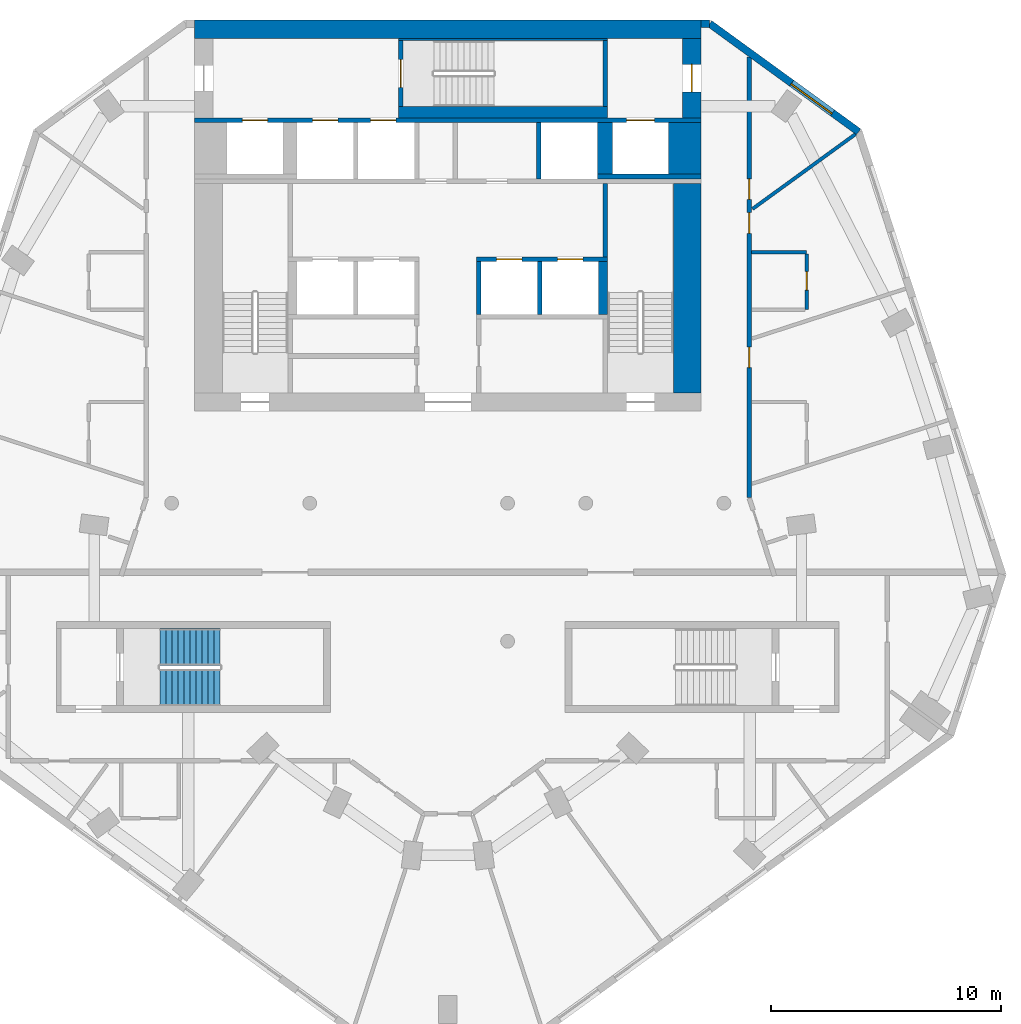
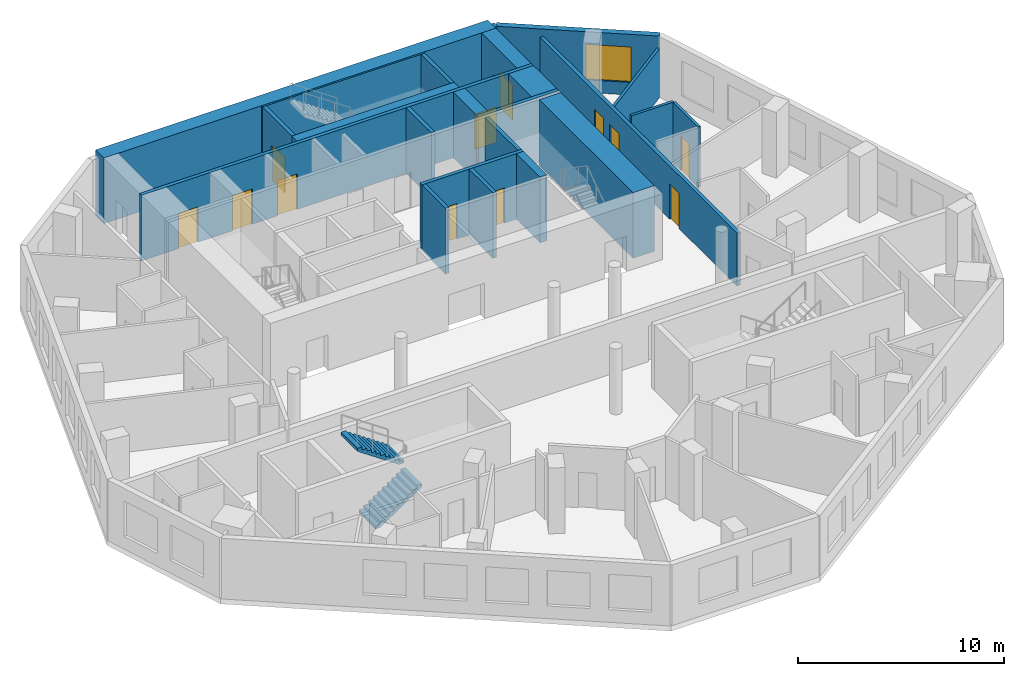
# One storey, part 6 of 9: 23 walls, 12 doors, 2 stair flights, 1 window, 13 openings, 1 element without a shape of its own.
"""IFC4 building model written with IfcOpenShell, lengths in metres."""

from ifc_helpers import new_model, si_unit, direction, frame, frame_2d, origin, place, context, subcontext, project, spatial, polyline, rectangle, outline, extrude, material, layer, layer_set, type_object, element, fill, aggregate, save


model = new_model("IFC4")

# Units and contexts
model_context = context("Model", 3, precision=1e-05, world=origin(), true_north=direction((0.0, 1.0)))
body_context = subcontext(model_context, "Body", "Model", "MODEL_VIEW")
ifc_project = project(units=[si_unit("LENGTHUNIT", "METRE"), si_unit("AREAUNIT", "SQUARE_METRE"), si_unit("VOLUMEUNIT", "CUBIC_METRE"), si_unit("PLANEANGLEUNIT", "RADIAN"), si_unit("MASSUNIT", "GRAM", prefix="KILO")], contexts=[model_context])

# Site, building, storey
site_placement = place(None, origin())
site = spatial("IfcSite", under=ifc_project, at=site_placement, CompositionType="ELEMENT")
building_placement = place(site_placement, origin())
building = spatial("IfcBuilding", under=site, at=building_placement, Name="White Candle Pilgrim Tower", CompositionType="ELEMENT")
storey_placement = place(building_placement, frame((0.0, 0.0, 235.5)))
storey = spatial("IfcBuildingStorey", under=building, at=storey_placement, Name="L55", CompositionType="ELEMENT", Elevation=235.5)

# Walls
ifc_material_1 = material(Name="Concrete C50/60", Category="concrete")
ifc_layer_1 = layer(ifc_material_1, 1.39990234375)
ifc_layer_set_1 = layer_set([ifc_layer_1], Name="Core wall 1400 mm Concrete C50/60")
wall_type_1 = type_object("IfcWallType", Name="Core wall 1400 mm Concrete C50/60", PredefinedType="SHEAR", material=ifc_layer_set_1)
wall_1_placement = place(storey_placement, frame((80.300048828125, 81.300048828125, 0.0), z_axis=(0.0, 0.0, 1.0), x_axis=(0.0, 1.0, 0.0)))
element("IfcWall", 1, at=wall_1_placement, inside=storey, type_object=wall_type_1, Name="WL-L55-C43", PredefinedType="SHEAR", context=body_context, shape_type="SweptSolid", body=[
    extrude(rectangle(XDim=2.25, YDim=1.39990234375, at=frame_2d((1.125, 0.0))), origin(), (0.0, 0.0, 1.0), 3.89990234375),
])
ifc_layer_2 = layer(ifc_material_1, 0.199951171875)
ifc_layer_set_2 = layer_set([ifc_layer_2], Name="Core wall 200 mm Concrete C50/60")
wall_type_2 = type_object("IfcWallType", Name="Core wall 200 mm Concrete C50/60", PredefinedType="SHEAR", material=ifc_layer_set_2)
wall_2_placement = place(storey_placement, frame((76.5, 81.199951171875, 0.0), z_axis=(0.0, 0.0, 1.0), x_axis=(1.0, 0.0, 0.0)))
element("IfcWall", 2, at=wall_2_placement, inside=storey, type_object=wall_type_2, Name="WL-L55-C39", PredefinedType="SHEAR", context=body_context, shape_type="SweptSolid", body=[
    extrude(rectangle(XDim=4.5, YDim=0.199951171875, at=frame_2d((2.25, 0.0))), origin(), (0.0, 0.0, 1.0), 3.89990234375),
])

# Wall, openings, doors
wall_3_placement = place(storey_placement, frame((59.0, 83.64990234375, 0.0), z_axis=(0.0, 0.0, 1.0), x_axis=(1.0, 0.0, 0.0)))
wall_3 = element("IfcWall", 3, at=wall_3_placement, inside=storey, type_object=wall_type_2, Name="WL-L55-C44", PredefinedType="SHEAR", context=body_context, shape_type="SweptSolid", body=[
    extrude(rectangle(XDim=22.0, YDim=0.199951171875, at=frame_2d((11.0, 0.0))), origin(), (0.0, 0.0, 1.0), 3.89990234375),
])
opening_1_placement = place(wall_3_placement, frame((5.125, 0.0, 0.0)))
opening_1 = element("IfcOpeningElement", 4, at=opening_1_placement, cuts=wall_3, Name="Opening T17-018", PredefinedType="OPENING", context=body_context, shape_type="SweptSolid", body=[
    extrude(rectangle(XDim=1.10009765625, YDim=2.10009765625, at=frame_2d((0.550048828125, 1.050048828125))), frame((0.0, 0.10986328125, 0.0), z_axis=(0.0, -1.0, 0.0), x_axis=(1.0, 0.0, 0.0)), (0.0, 0.0, 1.0), 0.219970703125),
])
opening_2_placement = place(wall_3_placement, frame((7.64990234375, 0.0, 0.0)))
opening_2 = element("IfcOpeningElement", 5, at=opening_2_placement, cuts=wall_3, Name="Opening T17-019", PredefinedType="OPENING", context=body_context, shape_type="SweptSolid", body=[
    extrude(rectangle(XDim=1.10009765625, YDim=2.10009765625, at=frame_2d((0.550048828125, 1.050048828125))), frame((0.0, 0.10986328125, 0.0), z_axis=(0.0, -1.0, 0.0), x_axis=(1.0, 0.0, 0.0)), (0.0, 0.0, 1.0), 0.219970703125),
])
opening_3_placement = place(wall_3_placement, frame((18.77490234375, 0.0, 0.0)))
opening_3 = element("IfcOpeningElement", 6, at=opening_3_placement, cuts=wall_3, Name="Opening T17-020", PredefinedType="OPENING", context=body_context, shape_type="SweptSolid", body=[
    extrude(rectangle(XDim=1.199951171875, YDim=2.10009765625, at=frame_2d((0.60009765625, 1.050048828125))), frame((0.0, 0.10986328125, 0.0), z_axis=(0.0, -1.0, 0.0), x_axis=(1.0, 0.0, 0.0)), (0.0, 0.0, 1.0), 0.219970703125),
])
opening_4_placement = place(wall_3_placement, frame((2.074951171875, 0.0, 0.0)))
opening_4 = element("IfcOpeningElement", 7, at=opening_4_placement, cuts=wall_3, Name="Opening T17-021", PredefinedType="OPENING", context=body_context, shape_type="SweptSolid", body=[
    extrude(rectangle(XDim=1.10009765625, YDim=2.10009765625, at=frame_2d((0.550048828125, 1.050048828125))), frame((0.0, 0.10986328125, 0.0), z_axis=(0.0, -1.0, 0.0), x_axis=(1.0, 0.0, 0.0)), (0.0, 0.0, 1.0), 0.219970703125),
])
ifc_material_2 = material(Name="Stainless steel", Category="steel")
door_type_1 = type_object("IfcDoorType", Name="Lift landing door 1100 x 2100 EI 60", OperationType="DOUBLE_DOOR_SLIDING", PredefinedType="DOOR", material=ifc_material_2)
door_1_placement = place(opening_1_placement, origin())
door_1 = element("IfcDoor", 8, at=door_1_placement, inside=storey, type_object=door_type_1, Name="Door T17-018", OperationType="DOUBLE_DOOR_SLIDING", OverallHeight=2.10009765625, OverallWidth=1.10009765625, PredefinedType="DOOR", context=body_context, shape_type="SweptSolid", body=[
    extrude(rectangle(XDim=1.10009765625, YDim=2.10009765625, at=frame_2d((0.550048828125, 1.050048828125))), frame((0.0, 0.02490234375, 0.0), z_axis=(0.0, -1.0, 0.0), x_axis=(1.0, 0.0, 0.0)), (0.0, 0.0, 1.0), 0.050048828125),
])
fill(opening_1, door_1)
door_2_placement = place(opening_2_placement, origin())
door_2 = element("IfcDoor", 9, at=door_2_placement, inside=storey, type_object=door_type_1, Name="Door T17-019", OperationType="DOUBLE_DOOR_SLIDING", OverallHeight=2.10009765625, OverallWidth=1.10009765625, PredefinedType="DOOR", context=body_context, shape_type="SweptSolid", body=[
    extrude(rectangle(XDim=1.10009765625, YDim=2.10009765625, at=frame_2d((0.550048828125, 1.050048828125))), frame((0.0, 0.02490234375, 0.0), z_axis=(0.0, -1.0, 0.0), x_axis=(1.0, 0.0, 0.0)), (0.0, 0.0, 1.0), 0.050048828125),
])
fill(opening_2, door_2)
door_3_placement = place(opening_4_placement, origin())
door_3 = element("IfcDoor", 10, at=door_3_placement, inside=storey, type_object=door_type_1, Name="Door T17-021", OperationType="DOUBLE_DOOR_SLIDING", OverallHeight=2.10009765625, OverallWidth=1.10009765625, PredefinedType="DOOR", context=body_context, shape_type="SweptSolid", body=[
    extrude(rectangle(XDim=1.10009765625, YDim=2.10009765625, at=frame_2d((0.550048828125, 1.050048828125))), frame((0.0, 0.02490234375, 0.0), z_axis=(0.0, -1.0, 0.0), x_axis=(1.0, 0.0, 0.0)), (0.0, 0.0, 1.0), 0.050048828125),
])
fill(opening_4, door_3)
door_type_2 = type_object("IfcDoorType", Name="Lift landing door 1200 x 2100 E 60", OperationType="DOUBLE_DOOR_SLIDING", PredefinedType="DOOR", material=ifc_material_2)
door_4_placement = place(opening_3_placement, origin())
door_4 = element("IfcDoor", 11, at=door_4_placement, inside=storey, type_object=door_type_2, Name="Door T17-020", OperationType="DOUBLE_DOOR_SLIDING", OverallHeight=2.10009765625, OverallWidth=1.199951171875, PredefinedType="DOOR", context=body_context, shape_type="SweptSolid", body=[
    extrude(rectangle(XDim=1.199951171875, YDim=2.10009765625, at=frame_2d((0.60009765625, 1.050048828125))), frame((0.0, 0.02490234375, 0.0), z_axis=(0.0, -1.0, 0.0), x_axis=(1.0, 0.0, 0.0)), (0.0, 0.0, 1.0), 0.050048828125),
])
fill(opening_3, door_4)

# Wall, opening, door
ifc_layer_3 = layer(ifc_material_1, 0.800048828125)
ifc_layer_set_3 = layer_set([ifc_layer_3], Name="Core wall 800 mm Concrete C50/60")
wall_type_3 = type_object("IfcWallType", Name="Core wall 800 mm Concrete C50/60", PredefinedType="SHEAR", material=ifc_layer_set_3)
wall_4_placement = place(storey_placement, frame((80.60009765625, 83.75, 0.0), z_axis=(0.0, 0.0, 1.0), x_axis=(0.0, 1.0, 0.0)))
wall_4 = element("IfcWall", 12, at=wall_4_placement, inside=storey, type_object=wall_type_3, Name="WL-L55-C47", PredefinedType="SHEAR", context=body_context, shape_type="SweptSolid", body=[
    extrude(rectangle(XDim=3.449951171875, YDim=0.800048828125, at=frame_2d((1.72509765625, 0.0))), origin(), (0.0, 0.0, 1.0), 3.89990234375),
])
opening_5_placement = place(wall_4_placement, frame((1.125, 0.0, 0.0)))
opening_5 = element("IfcOpeningElement", 13, at=opening_5_placement, cuts=wall_4, Name="Opening T17-009", PredefinedType="OPENING", context=body_context, shape_type="SweptSolid", body=[
    extrude(rectangle(XDim=1.199951171875, YDim=2.10009765625, at=frame_2d((0.60009765625, 1.050048828125))), frame((0.0, 0.409912109375, 0.0), z_axis=(0.0, -1.0, 0.0), x_axis=(1.0, 0.0, 0.0)), (0.0, 0.0, 1.0), 0.820068359375),
])
ifc_material_3 = material(Name="Steel door leaf", Category="steel")
door_type_3 = type_object("IfcDoorType", Name="Fire door 1200 x 2100 EI 30", OperationType="NOTDEFINED", PredefinedType="DOOR", material=ifc_material_3)
door_5_placement = place(opening_5_placement, origin())
door_5 = element("IfcDoor", 14, at=door_5_placement, inside=storey, type_object=door_type_3, Name="Door T17-009", OperationType="SINGLE_SWING_LEFT", OverallHeight=2.10009765625, OverallWidth=1.199951171875, PredefinedType="DOOR", context=body_context, shape_type="SweptSolid", body=[
    extrude(rectangle(XDim=1.199951171875, YDim=2.10009765625, at=frame_2d((0.60009765625, 1.050048828125))), frame((0.0, 0.02490234375, 0.0), z_axis=(0.0, -1.0, 0.0), x_axis=(1.0, 0.0, 0.0)), (0.0, 0.0, 1.0), 0.050048828125),
])
fill(opening_5, door_5)

# Wall
wall_5_placement = place(storey_placement, frame((59.0, 87.60009765625, 0.0), z_axis=(0.0, 0.0, 1.0), x_axis=(1.0, 0.0, 0.0)))
element("IfcWall", 15, at=wall_5_placement, inside=storey, type_object=wall_type_3, Name="WL-L55-C51", PredefinedType="SHEAR", context=body_context, shape_type="SweptSolid", body=[
    extrude(rectangle(XDim=22.0, YDim=0.800048828125, at=frame_2d((11.0, 0.0))), origin(), (0.0, 0.0, 1.0), 3.89990234375),
])

# Wall, openings, doors
ifc_material_4 = material(Name="Gypsum board on steel studs", Category="steel")
ifc_layer_4 = layer(ifc_material_4, 0.199951171875)
ifc_layer_set_4 = layer_set([ifc_layer_4], Name="Corridor wall 200 mm EI 45")
wall_type_4 = type_object("IfcWallType", Name="Corridor wall 200 mm EI 45", PredefinedType="PARTITIONING", material=ifc_layer_set_4)
wall_6_placement = place(storey_placement, frame((83.10009765625, 86.396240234375, 0.0), z_axis=(0.0, 0.0, 1.0), x_axis=(0.0, -1.0, 0.0)))
wall_6 = element("IfcWall", 16, at=wall_6_placement, inside=storey, type_object=wall_type_4, Name="WL-L55-P004", PredefinedType="PARTITIONING", context=body_context, shape_type="SweptSolid", body=[
    extrude(rectangle(XDim=19.154296875, YDim=0.199951171875, at=frame_2d((9.5771484375, 0.0))), origin(), (0.0, 0.0, 1.0), 3.14990234375),
])
opening_6_placement = place(wall_6_placement, frame((5.29638671875, 0.0, 0.0)))
opening_6 = element("IfcOpeningElement", 17, at=opening_6_placement, cuts=wall_6, Name="Opening T17-123", PredefinedType="OPENING", context=body_context, shape_type="SweptSolid", body=[
    extrude(rectangle(XDim=0.89990234375, YDim=2.10009765625, at=frame_2d((0.449951171875, 1.050048828125))), frame((0.0, 0.10986328125, 0.0), z_axis=(0.0, -1.0, 0.0), x_axis=(1.0, 0.0, 0.0)), (0.0, 0.0, 1.0), 0.219970703125),
])
opening_7_placement = place(wall_6_placement, frame((6.770751953125, 0.0, 0.0)))
opening_7 = element("IfcOpeningElement", 18, at=opening_7_placement, cuts=wall_6, Name="Opening T17-124", PredefinedType="OPENING", context=body_context, shape_type="SweptSolid", body=[
    extrude(rectangle(XDim=0.89990234375, YDim=2.10009765625, at=frame_2d((0.449951171875, 1.050048828125))), frame((0.0, 0.10986328125, 0.0), z_axis=(0.0, -1.0, 0.0), x_axis=(1.0, 0.0, 0.0)), (0.0, 0.0, 1.0), 0.219970703125),
])
opening_8_placement = place(wall_6_placement, frame((12.607666015625, 0.0, 0.0)))
opening_8 = element("IfcOpeningElement", 19, at=opening_8_placement, cuts=wall_6, Name="Opening T17-125", PredefinedType="OPENING", context=body_context, shape_type="SweptSolid", body=[
    extrude(rectangle(XDim=0.89990234375, YDim=2.10009765625, at=frame_2d((0.449951171875, 1.050048828125))), frame((0.0, 0.10986328125, 0.0), z_axis=(0.0, -1.0, 0.0), x_axis=(1.0, 0.0, 0.0)), (0.0, 0.0, 1.0), 0.219970703125),
])
door_type_4 = type_object("IfcDoorType", Name="Fire door 900 x 2100 EI 30", OperationType="NOTDEFINED", PredefinedType="DOOR", material=ifc_material_3)
door_6_placement = place(opening_6_placement, origin())
door_6 = element("IfcDoor", 20, at=door_6_placement, inside=storey, type_object=door_type_4, Name="Door T17-123", OperationType="SINGLE_SWING_LEFT", OverallHeight=2.10009765625, OverallWidth=0.89990234375, PredefinedType="DOOR", context=body_context, shape_type="SweptSolid", body=[
    extrude(rectangle(XDim=0.89990234375, YDim=2.10009765625, at=frame_2d((0.449951171875, 1.050048828125))), frame((0.0, 0.02490234375, 0.0), z_axis=(0.0, -1.0, 0.0), x_axis=(1.0, 0.0, 0.0)), (0.0, 0.0, 1.0), 0.050048828125),
])
fill(opening_6, door_6)
door_7_placement = place(opening_7_placement, origin())
door_7 = element("IfcDoor", 21, at=door_7_placement, inside=storey, type_object=door_type_4, Name="Door T17-124", OperationType="SINGLE_SWING_RIGHT", OverallHeight=2.10009765625, OverallWidth=0.89990234375, PredefinedType="DOOR", context=body_context, shape_type="SweptSolid", body=[
    extrude(rectangle(XDim=0.89990234375, YDim=2.10009765625, at=frame_2d((0.449951171875, 1.050048828125))), frame((0.0, 0.02490234375, 0.0), z_axis=(0.0, -1.0, 0.0), x_axis=(1.0, 0.0, 0.0)), (0.0, 0.0, 1.0), 0.050048828125),
])
fill(opening_7, door_7)
door_8_placement = place(opening_8_placement, origin())
door_8 = element("IfcDoor", 22, at=door_8_placement, inside=storey, type_object=door_type_4, Name="Door T17-125", OperationType="SINGLE_SWING_LEFT", OverallHeight=2.10009765625, OverallWidth=0.89990234375, PredefinedType="DOOR", context=body_context, shape_type="SweptSolid", body=[
    extrude(rectangle(XDim=0.89990234375, YDim=2.10009765625, at=frame_2d((0.449951171875, 1.050048828125))), frame((0.0, 0.02490234375, 0.0), z_axis=(0.0, -1.0, 0.0), x_axis=(1.0, 0.0, 0.0)), (0.0, 0.0, 1.0), 0.050048828125),
])
fill(opening_8, door_8)

# Wall, opening, window
ifc_material_5 = material(Name="Precast concrete C40/50", Category="concrete")
ifc_layer_5 = layer(ifc_material_5, 0.320068359375)
ifc_layer_set_5 = layer_set([ifc_layer_5], Name="Facade wall EW1 precast concrete C40/50 pier wall with timber-lined reveals")
wall_type_5 = type_object("IfcWallType", Name="Facade wall EW1 precast concrete C40/50 pier wall with timber-lined reveals", PredefinedType="SOLIDWALL", material=ifc_layer_set_5)
wall_7_placement = place(storey_placement, frame((87.85546875, 83.138916015625, 0.0), z_axis=(0.0, 0.0, 1.0), x_axis=(-0.809010558388, 0.587794110566, 0.0)))
wall_7 = element("IfcWall", 23, at=wall_7_placement, inside=storey, type_object=wall_type_5, Name="Facade wall L55 NE chamfer", PredefinedType="SOLIDWALL", context=body_context, shape_type="SweptSolid", body=[
    extrude(rectangle(XDim=7.998046875, YDim=0.320068359375, at=frame_2d((3.9990234375, 0.0))), origin(), (0.0, 0.0, 1.0), 3.60009765625),
])
opening_9_placement = place(wall_7_placement, frame((1.39892578125, 0.0, 0.75)))
opening_9 = element("IfcOpeningElement", 24, at=opening_9_placement, cuts=wall_7, Name="Opening W4", PredefinedType="OPENING", context=body_context, shape_type="SweptSolid", body=[
    extrude(rectangle(XDim=2.199951171875, YDim=2.10009765625, at=frame_2d((1.10009765625, 1.050048828125))), frame((0.0, 0.169921875, 0.0), z_axis=(0.0, -1.0, 0.0), x_axis=(1.0, 0.0, 0.0)), (0.0, 0.0, 1.0), 0.340087890625),
])
ifc_material_6 = material(Name="Timber frame with triple glazing", Category="wood")
window_type = type_object("IfcWindowType", Name="Window W4 2200x2100 timber frame triple glazing", PartitioningType="SINGLE_PANEL", PredefinedType="WINDOW", material=ifc_material_6)
window_placement = place(opening_9_placement, origin())
window = element("IfcWindow", 25, at=window_placement, inside=storey, type_object=window_type, Name="Window W4 L55 NE chamfer 1", OverallHeight=2.10009765625, OverallWidth=2.199951171875, PartitioningType="SINGLE_PANEL", PredefinedType="WINDOW", context=body_context, shape_type="SweptSolid", body=[
    extrude(rectangle(XDim=2.199951171875, YDim=2.10009765625, at=frame_2d((1.10009765625, 1.050048828125))), frame((0.0, 0.070068359375, 0.0), z_axis=(0.0, -1.0, 0.0), x_axis=(1.0, 0.0, 0.0)), (0.0, 0.0, 1.0), 0.06005859375),
])
fill(opening_9, window)

# Walls
wall_8_placement = place(storey_placement, frame((81.385009765625, 87.840087890625, 0.0), z_axis=(0.0, 0.0, 1.0), x_axis=(-1.0, 0.0, 0.0)))
element("IfcWall", 26, at=wall_8_placement, inside=storey, type_object=wall_type_5, Name="Facade wall L55 N", PredefinedType="SOLIDWALL", context=body_context, shape_type="SweptSolid", body=[
    extrude(rectangle(XDim=0.385009765625, YDim=0.320068359375, at=frame_2d((0.1923828125, 0.0))), origin(), (0.0, 0.0, 1.0), 3.60009765625),
])
ifc_layer_6 = layer(ifc_material_4, 0.14990234375)
ifc_layer_set_6 = layer_set([ifc_layer_6], Name="Partition 150 mm EI 60")
wall_type_6 = type_object("IfcWallType", Name="Partition 150 mm EI 60", PredefinedType="PARTITIONING", material=ifc_layer_set_6)
wall_9_placement = place(storey_placement, frame((87.71923828125, 83.0400390625, 0.0), z_axis=(0.0, 0.0, 1.0), x_axis=(-0.809028003405, -0.587770099364, 0.0)))
element("IfcWall", 27, at=wall_9_placement, inside=storey, type_object=wall_type_6, Name="WL-L55-P018", PredefinedType="PARTITIONING", context=body_context, shape_type="SweptSolid", body=[
    extrude(rectangle(XDim=5.531494140625, YDim=0.14990234375, at=frame_2d((2.765625, 0.0))), origin(), (0.0, 0.0, 1.0), 2.89990234375),
])
wall_10_placement = place(storey_placement, frame((83.199951171875, 77.913330078125, 0.0), z_axis=(0.0, 0.0, 1.0), x_axis=(1.0, 0.0, 0.0)))
element("IfcWall", 28, at=wall_10_placement, inside=storey, type_object=wall_type_6, Name="WL-L55-P042", PredefinedType="PARTITIONING", context=body_context, shape_type="SweptSolid", body=[
    extrude(rectangle(XDim=2.400146484375, YDim=0.14990234375, at=frame_2d((1.2001953125, 0.0))), origin(), (0.0, 0.0, 1.0), 3.60009765625),
])

# Wall, opening, door
wall_11_placement = place(storey_placement, frame((85.60009765625, 75.413330078125, 0.0), z_axis=(0.0, 0.0, 1.0), x_axis=(0.0, 1.0, 0.0)))
wall_11 = element("IfcWall", 29, at=wall_11_placement, inside=storey, type_object=wall_type_6, Name="WL-L55-P043", PredefinedType="PARTITIONING", context=body_context, shape_type="SweptSolid", body=[
    extrude(rectangle(XDim=2.425048828125, YDim=0.14990234375, at=frame_2d((1.21240234375, 0.0))), origin(), (0.0, 0.0, 1.0), 3.60009765625),
])
opening_10_placement = place(wall_11_placement, frame((0.85009765625, 0.0, 0.0)))
opening_10 = element("IfcOpeningElement", 30, at=opening_10_placement, cuts=wall_11, Name="Opening T17-116", PredefinedType="OPENING", context=body_context, shape_type="SweptSolid", body=[
    extrude(rectangle(XDim=0.800048828125, YDim=2.10009765625, at=frame_2d((0.39990234375, 1.050048828125))), frame((0.0, 0.0849609375, 0.0), z_axis=(0.0, -1.0, 0.0), x_axis=(1.0, 0.0, 0.0)), (0.0, 0.0, 1.0), 0.169921875),
])
door_type_5 = type_object("IfcDoorType", Name="Fire door 800 x 2100 EI 30", OperationType="NOTDEFINED", PredefinedType="DOOR", material=ifc_material_3)
door_9_placement = place(opening_10_placement, frame((0.800048828125, 0.0, 0.0), z_axis=(0.0, 0.0, 1.0), x_axis=(-1.0, 0.0, 0.0)))
door_9 = element("IfcDoor", 31, at=door_9_placement, inside=storey, type_object=door_type_5, Name="Door T17-116", OperationType="SINGLE_SWING_LEFT", OverallHeight=2.10009765625, OverallWidth=0.800048828125, PredefinedType="DOOR", context=body_context, shape_type="SweptSolid", body=[
    extrude(rectangle(XDim=0.800048828125, YDim=2.10009765625, at=frame_2d((0.39990234375, 1.050048828125))), frame((0.0, 0.02490234375, 0.0), z_axis=(0.0, -1.0, 0.0), x_axis=(1.0, 0.0, 0.0)), (0.0, 0.0, 1.0), 0.050048828125),
])
fill(opening_10, door_9)

# Walls
ifc_layer_7 = layer(ifc_material_1, 0.199951171875)
ifc_layer_set_7 = layer_set([ifc_layer_7], Name="Shaft wall 200 mm Concrete C50/60")
wall_type_7 = type_object("IfcWallType", Name="Shaft wall 200 mm Concrete C50/60", PredefinedType="SHEAR", material=ifc_layer_set_7)
for number, where, z_axis, x_axis, name in (
    (32, (71.35009765625, 75.199951171875, 0.0), (0.0, 0.0, 1.0), (0.0, 1.0, 0.0), "WL-L55-C26"),
    (33, (74.0, 75.199951171875, 0.0), (0.0, 0.0, 1.0), (0.0, 1.0, 0.0), "WL-L55-C27"),
):
    element("IfcWall", number, at=place(storey_placement, frame(where, z_axis=z_axis, x_axis=x_axis)), inside=storey, type_object=wall_type_7, Name=name, PredefinedType="SHEAR", context=body_context, shape_type="SweptSolid", body=[
        extrude(rectangle(XDim=2.300048828125, YDim=0.199951171875, at=frame_2d((1.14990234375, 0.0))), origin(), (0.0, 0.0, 1.0), 3.89990234375),
    ])
wall_12_placement = place(storey_placement, frame((73.949951171875, 81.10009765625, 0.0), z_axis=(0.0, 0.0, 1.0), x_axis=(0.0, 1.0, 0.0)))
element("IfcWall", 34, at=wall_12_placement, inside=storey, type_object=wall_type_7, Name="WL-L55-C38", PredefinedType="SHEAR", context=body_context, shape_type="SweptSolid", body=[
    extrude(rectangle(XDim=2.449951171875, YDim=0.199951171875, at=frame_2d((1.22509765625, 0.0))), origin(), (0.0, 0.0, 1.0), 3.89990234375),
])
ifc_layer_8 = layer(ifc_material_1, 0.64990234375)
ifc_layer_set_8 = layer_set([ifc_layer_8], Name="Shaft wall 650 mm Concrete C50/60")
wall_type_8 = type_object("IfcWallType", Name="Shaft wall 650 mm Concrete C50/60", PredefinedType="SHEAR", material=ifc_layer_set_8)
wall_13_placement = place(storey_placement, frame((76.824951171875, 81.300048828125, 0.0), z_axis=(0.0, 0.0, 1.0), x_axis=(0.0, 1.0, 0.0)))
element("IfcWall", 35, at=wall_13_placement, inside=storey, type_object=wall_type_8, Name="WL-L55-C42", PredefinedType="SHEAR", context=body_context, shape_type="SweptSolid", body=[
    extrude(rectangle(XDim=2.25, YDim=0.64990234375, at=frame_2d((1.125, 0.0))), origin(), (0.0, 0.0, 1.0), 3.89990234375),
])
ifc_layer_9 = layer(ifc_material_1, 0.10009765625)
ifc_layer_set_9 = layer_set([ifc_layer_9], Name="Stair shaft wall 100 mm Concrete C50/60")
wall_type_9 = type_object("IfcWallType", Name="Stair shaft wall 100 mm Concrete C50/60", PredefinedType="SHEAR", material=ifc_layer_set_9)
wall_14_placement = place(storey_placement, frame((67.85009765625, 87.14990234375, 0.0), z_axis=(0.0, 0.0, 1.0), x_axis=(1.0, 0.0, 0.0)))
element("IfcWall", 36, at=wall_14_placement, inside=storey, type_object=wall_type_9, Name="WL-L55-C50", PredefinedType="SHEAR", context=body_context, shape_type="SweptSolid", body=[
    extrude(rectangle(XDim=9.099853515625, YDim=0.10009765625, at=frame_2d((4.5498046875, 0.0))), origin(), (0.0, 0.0, 1.0), 3.89990234375),
])
ifc_layer_10 = layer(ifc_material_1, 1.199951171875)
ifc_layer_set_10 = layer_set([ifc_layer_10], Name="Stair shaft wall 1200 mm Concrete C50/60")
wall_type_10 = type_object("IfcWallType", Name="Stair shaft wall 1200 mm Concrete C50/60", PredefinedType="SHEAR", material=ifc_layer_set_10)
wall_15_placement = place(storey_placement, frame((80.39990234375, 71.800048828125, 0.0), z_axis=(0.0, 0.0, 1.0), x_axis=(0.0, 1.0, 0.0)))
element("IfcWall", 37, at=wall_15_placement, inside=storey, type_object=wall_type_10, Name="WL-L55-C17", PredefinedType="SHEAR", context=body_context, shape_type="SweptSolid", body=[
    extrude(rectangle(XDim=9.099853515625, YDim=1.199951171875, at=frame_2d((4.5498046875, 0.0))), origin(), (0.0, 0.0, 1.0), 3.89990234375),
])

# Wall, openings, doors
ifc_layer_11 = layer(ifc_material_1, 0.199951171875)
ifc_layer_set_11 = layer_set([ifc_layer_11], Name="Stair shaft wall 200 mm Concrete C50/60")
wall_type_11 = type_object("IfcWallType", Name="Stair shaft wall 200 mm Concrete C50/60", PredefinedType="SHEAR", material=ifc_layer_set_11)
wall_16_placement = place(storey_placement, frame((71.25, 77.60009765625, 0.0), z_axis=(0.0, 0.0, 1.0), x_axis=(1.0, 0.0, 0.0)))
wall_16 = element("IfcWall", 38, at=wall_16_placement, inside=storey, type_object=wall_type_11, Name="WL-L55-C30", PredefinedType="SHEAR", context=body_context, shape_type="SweptSolid", body=[
    extrude(rectangle(XDim=5.699951171875, YDim=0.199951171875, at=frame_2d((2.85009765625, 0.0))), origin(), (0.0, 0.0, 1.0), 3.89990234375),
])
opening_11_placement = place(wall_16_placement, frame((0.875, 0.0, 0.0)))
opening_11 = element("IfcOpeningElement", 39, at=opening_11_placement, cuts=wall_16, Name="Opening T17-016", PredefinedType="OPENING", context=body_context, shape_type="SweptSolid", body=[
    extrude(rectangle(XDim=1.10009765625, YDim=2.10009765625, at=frame_2d((0.550048828125, 1.050048828125))), frame((0.0, 0.10986328125, 0.0), z_axis=(0.0, -1.0, 0.0), x_axis=(1.0, 0.0, 0.0)), (0.0, 0.0, 1.0), 0.219970703125),
])
opening_12_placement = place(wall_16_placement, frame((3.52490234375, 0.0, 0.0)))
opening_12 = element("IfcOpeningElement", 40, at=opening_12_placement, cuts=wall_16, Name="Opening T17-017", PredefinedType="OPENING", context=body_context, shape_type="SweptSolid", body=[
    extrude(rectangle(XDim=1.10009765625, YDim=2.10009765625, at=frame_2d((0.550048828125, 1.050048828125))), frame((0.0, 0.10986328125, 0.0), z_axis=(0.0, -1.0, 0.0), x_axis=(1.0, 0.0, 0.0)), (0.0, 0.0, 1.0), 0.219970703125),
])
door_type_6 = type_object("IfcDoorType", Name="Lift landing door 1100 x 2100 E 60", OperationType="DOUBLE_DOOR_SLIDING", PredefinedType="DOOR", material=ifc_material_2)
door_10_placement = place(opening_11_placement, origin())
door_10 = element("IfcDoor", 41, at=door_10_placement, inside=storey, type_object=door_type_6, Name="Door T17-016", OperationType="DOUBLE_DOOR_SLIDING", OverallHeight=2.10009765625, OverallWidth=1.10009765625, PredefinedType="DOOR", context=body_context, shape_type="SweptSolid", body=[
    extrude(rectangle(XDim=1.10009765625, YDim=2.10009765625, at=frame_2d((0.550048828125, 1.050048828125))), frame((0.0, 0.02490234375, 0.0), z_axis=(0.0, -1.0, 0.0), x_axis=(1.0, 0.0, 0.0)), (0.0, 0.0, 1.0), 0.050048828125),
])
fill(opening_11, door_10)
door_11_placement = place(opening_12_placement, origin())
door_11 = element("IfcDoor", 42, at=door_11_placement, inside=storey, type_object=door_type_6, Name="Door T17-017", OperationType="DOUBLE_DOOR_SLIDING", OverallHeight=2.10009765625, OverallWidth=1.10009765625, PredefinedType="DOOR", context=body_context, shape_type="SweptSolid", body=[
    extrude(rectangle(XDim=1.10009765625, YDim=2.10009765625, at=frame_2d((0.550048828125, 1.050048828125))), frame((0.0, 0.02490234375, 0.0), z_axis=(0.0, -1.0, 0.0), x_axis=(1.0, 0.0, 0.0)), (0.0, 0.0, 1.0), 0.050048828125),
])
fill(opening_12, door_11)

# Wall
wall_17_placement = place(storey_placement, frame((76.85009765625, 77.699951171875, 0.0), z_axis=(0.0, 0.0, 1.0), x_axis=(0.0, 1.0, 0.0)))
element("IfcWall", 43, at=wall_17_placement, inside=storey, type_object=wall_type_11, Name="WL-L55-C32", PredefinedType="SHEAR", context=body_context, shape_type="SweptSolid", body=[
    extrude(rectangle(XDim=3.199951171875, YDim=0.199951171875, at=frame_2d((1.60009765625, 0.0))), origin(), (0.0, 0.0, 1.0), 3.89990234375),
])

# Wall, opening, door
wall_18_placement = place(storey_placement, frame((67.949951171875, 84.25, 0.0), z_axis=(0.0, 0.0, 1.0), x_axis=(0.0, 1.0, 0.0)))
wall_18 = element("IfcWall", 44, at=wall_18_placement, inside=storey, type_object=wall_type_11, Name="WL-L55-C48", PredefinedType="SHEAR", context=body_context, shape_type="SweptSolid", body=[
    extrude(rectangle(XDim=2.85009765625, YDim=0.199951171875, at=frame_2d((1.425048828125, 0.0))), origin(), (0.0, 0.0, 1.0), 3.89990234375),
])
opening_13_placement = place(wall_18_placement, frame((0.824951171875, 0.0, 0.0)))
opening_13 = element("IfcOpeningElement", 45, at=opening_13_placement, cuts=wall_18, Name="Opening T17-003", PredefinedType="OPENING", context=body_context, shape_type="SweptSolid", body=[
    extrude(rectangle(XDim=1.199951171875, YDim=2.10009765625, at=frame_2d((0.60009765625, 1.050048828125))), frame((0.0, 0.10986328125, 0.0), z_axis=(0.0, -1.0, 0.0), x_axis=(1.0, 0.0, 0.0)), (0.0, 0.0, 1.0), 0.219970703125),
])
door_type_7 = type_object("IfcDoorType", Name="Fire door 1200 x 2100 EI 60", OperationType="NOTDEFINED", PredefinedType="DOOR", material=ifc_material_3)
door_12_placement = place(opening_13_placement, frame((1.199951171875, 0.0, 0.0), z_axis=(0.0, 0.0, 1.0), x_axis=(-1.0, 0.0, 0.0)))
door_12 = element("IfcDoor", 46, at=door_12_placement, inside=storey, type_object=door_type_7, Name="Door T17-003", OperationType="SINGLE_SWING_RIGHT", OverallHeight=2.10009765625, OverallWidth=1.199951171875, PredefinedType="DOOR", context=body_context, shape_type="SweptSolid", body=[
    extrude(rectangle(XDim=1.199951171875, YDim=2.10009765625, at=frame_2d((0.60009765625, 1.050048828125))), frame((0.0, 0.02490234375, 0.0), z_axis=(0.0, -1.0, 0.0), x_axis=(1.0, 0.0, 0.0)), (0.0, 0.0, 1.0), 0.050048828125),
])
fill(opening_13, door_12)

# Walls
wall_19_placement = place(storey_placement, frame((76.85009765625, 84.25, 0.0), z_axis=(0.0, 0.0, 1.0), x_axis=(0.0, 1.0, 0.0)))
element("IfcWall", 47, at=wall_19_placement, inside=storey, type_object=wall_type_11, Name="WL-L55-C49", PredefinedType="SHEAR", context=body_context, shape_type="SweptSolid", body=[
    extrude(rectangle(XDim=2.85009765625, YDim=0.199951171875, at=frame_2d((1.425048828125, 0.0))), origin(), (0.0, 0.0, 1.0), 3.89990234375),
])
ifc_layer_12 = layer(ifc_material_1, 0.39990234375)
ifc_layer_set_12 = layer_set([ifc_layer_12], Name="Stair shaft wall 400 mm Concrete C50/60")
wall_type_12 = type_object("IfcWallType", Name="Stair shaft wall 400 mm Concrete C50/60", PredefinedType="SHEAR", material=ifc_layer_set_12)
wall_20_placement = place(storey_placement, frame((76.75, 75.199951171875, 0.0), z_axis=(0.0, 0.0, 1.0), x_axis=(0.0, 1.0, 0.0)))
element("IfcWall", 48, at=wall_20_placement, inside=storey, type_object=wall_type_12, Name="WL-L55-C28", PredefinedType="SHEAR", context=body_context, shape_type="SweptSolid", body=[
    extrude(rectangle(XDim=2.300048828125, YDim=0.39990234375, at=frame_2d((1.14990234375, 0.0))), origin(), (0.0, 0.0, 1.0), 3.89990234375),
])
ifc_layer_13 = layer(ifc_material_1, 0.5)
ifc_layer_set_13 = layer_set([ifc_layer_13], Name="Stair shaft wall 500 mm Concrete C50/60")
wall_type_13 = type_object("IfcWallType", Name="Stair shaft wall 500 mm Concrete C50/60", PredefinedType="SHEAR", material=ifc_layer_set_13)
wall_21_placement = place(storey_placement, frame((67.85009765625, 84.0, 0.0), z_axis=(0.0, 0.0, 1.0), x_axis=(1.0, 0.0, 0.0)))
element("IfcWall", 49, at=wall_21_placement, inside=storey, type_object=wall_type_13, Name="WL-L55-C46", PredefinedType="SHEAR", context=body_context, shape_type="SweptSolid", body=[
    extrude(rectangle(XDim=9.099853515625, YDim=0.5, at=frame_2d((4.5498046875, 0.0))), origin(), (0.0, 0.0, 1.0), 3.89990234375),
])

# Stair, stair flights
ifc_material_7 = material(Name="Concrete C40/50", Category="concrete")
stair_type = type_object("IfcStairType", Name="Exit stair 5 flight width 1600 mm", PredefinedType="HALF_TURN_STAIR", material=ifc_material_7)
stair_placement = place(storey_placement, origin())
stair = element("IfcStair", 50, at=stair_placement, inside=storey, type_object=stair_type, Name="L55 stair 5", PredefinedType="NOTDEFINED")
ifc_layer_14 = layer(ifc_material_7, 0.14990234375)
ifc_layer_set_14 = layer_set([ifc_layer_14], Name="Stair flight Concrete C40/50")
stair_flight_type = type_object("IfcStairFlightType", Name="Stair flight Concrete C40/50", PredefinedType="STRAIGHT", material=ifc_layer_set_14)
stair_flight_1_placement = place(storey_placement, frame((57.5, 59.0, 0.0), z_axis=(0.0, 0.0, 1.0), x_axis=(1.0, 0.0, 0.0)))
stair_flight_1 = element("IfcStairFlight", 51, at=stair_flight_1_placement, type_object=stair_flight_type, Name="ST5 flight 1", NumberOfRisers=11, NumberOfTreads=10, PredefinedType="NOTDEFINED", RiserHeight=0.177272727, TreadLength=0.26, context=body_context, shape_type="SweptSolid", body=[
    extrude(outline(polyline([(0.0, 0.0), (0.0, 0.17724609375), (0.260009765625, 0.17724609375), (0.260009765625, 0.3544921875), (0.52001953125, 0.3544921875), (0.52001953125, 0.53173828125), (0.780029296875, 0.53173828125), (0.780029296875, 0.708984375), (1.0400390625, 0.708984375), (1.0400390625, 0.886474609375), (1.300048828125, 0.886474609375), (1.300048828125, 1.063720703125), (1.56005859375, 1.063720703125), (1.56005859375, 1.240966796875), (1.820068359375, 1.240966796875), (1.820068359375, 1.418212890625), (2.080078125, 1.418212890625), (2.080078125, 1.595458984375), (2.340087890625, 1.595458984375), (2.340087890625, 1.772705078125), (2.60009765625, 1.772705078125), (2.60009765625, 1.949951171875), (2.60009765625, 1.59130859375), (0.26611328125, 0.0), (0.0, 0.0)])), frame((0.0, 0.800048828125, 0.0), z_axis=(0.0, -1.0, 0.0), x_axis=(1.0, 0.0, 0.0)), (0.0, 0.0, 1.0), 1.60009765625),
])
stair_flight_2_placement = place(storey_placement, frame((60.10009765625, 60.75, 1.949951171875), z_axis=(0.0, 0.0, 1.0), x_axis=(-1.0, 0.0, 0.0)))
stair_flight_2 = element("IfcStairFlight", 52, at=stair_flight_2_placement, type_object=stair_flight_type, Name="ST5 flight 2", NumberOfRisers=11, NumberOfTreads=10, PredefinedType="NOTDEFINED", RiserHeight=0.177272727, TreadLength=0.26, context=body_context, shape_type="SweptSolid", body=[
    extrude(outline(polyline([(0.0, 0.0), (0.0, 0.17724609375), (0.260009765625, 0.17724609375), (0.260009765625, 0.3544921875), (0.52001953125, 0.3544921875), (0.52001953125, 0.53173828125), (0.780029296875, 0.53173828125), (0.780029296875, 0.708984375), (1.0400390625, 0.708984375), (1.0400390625, 0.886474609375), (1.300048828125, 0.886474609375), (1.300048828125, 1.063720703125), (1.56005859375, 1.063720703125), (1.56005859375, 1.240966796875), (1.820068359375, 1.240966796875), (1.820068359375, 1.418212890625), (2.080078125, 1.418212890625), (2.080078125, 1.595458984375), (2.340087890625, 1.595458984375), (2.340087890625, 1.772705078125), (2.60009765625, 1.772705078125), (2.60009765625, 1.949951171875), (2.60009765625, 1.59130859375), (0.26611328125, 0.0), (0.0, 0.0)])), frame((0.0, 0.800048828125, 0.0), z_axis=(0.0, -1.0, 0.0), x_axis=(1.0, 0.0, 0.0)), (0.0, 0.0, 1.0), 1.60009765625),
])
aggregate(stair, [stair_flight_1, stair_flight_2])

save(model, "model.ifc")
